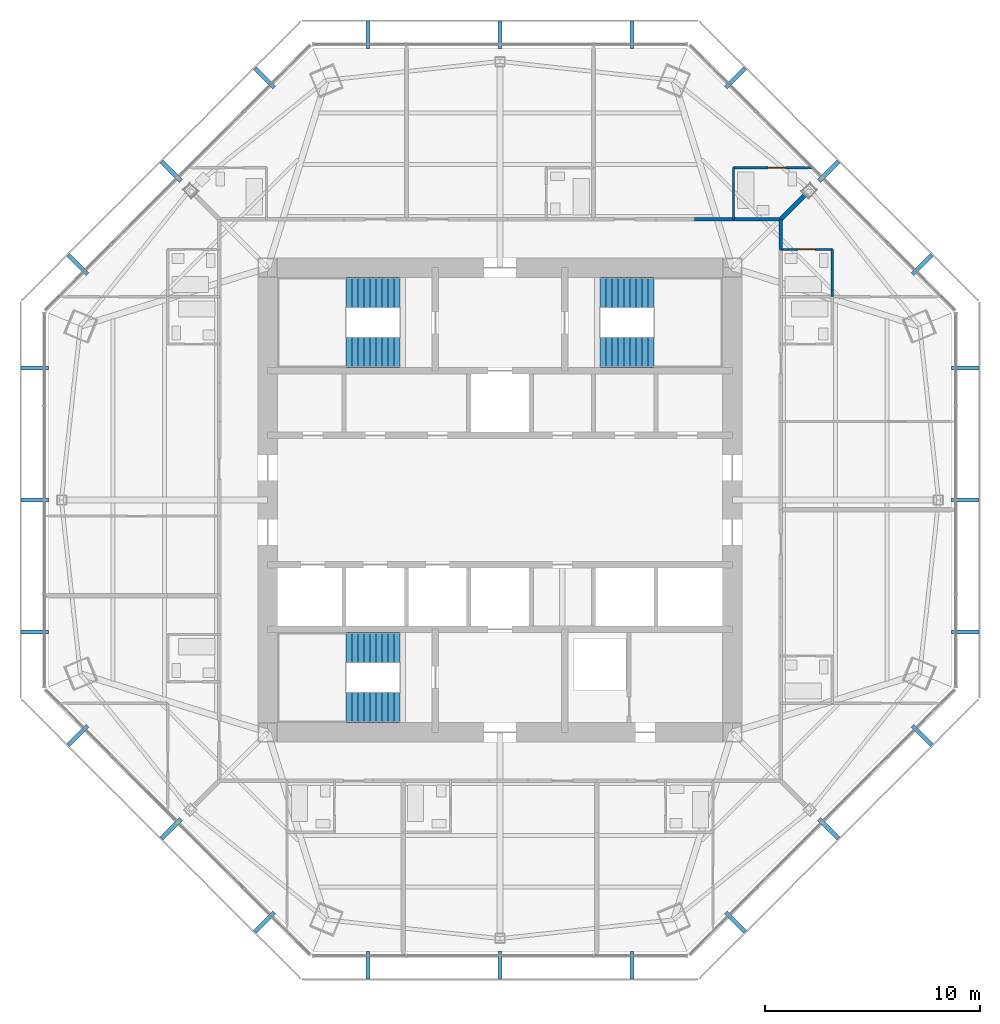
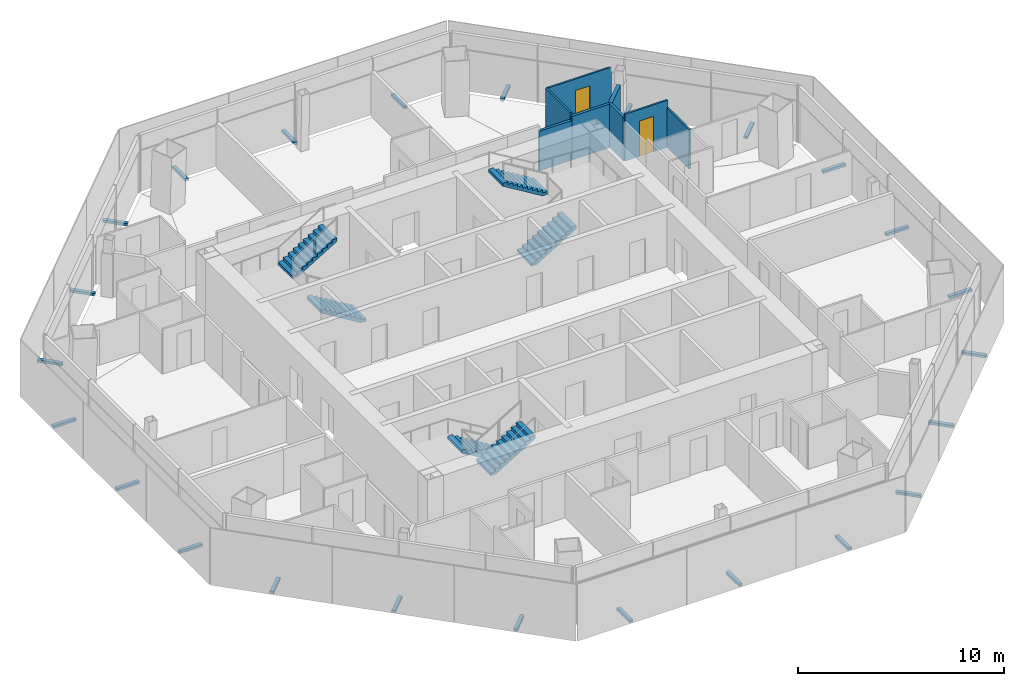
# One storey, part 12 of 14: 24 discrete accessories, 8 walls, 6 stair flights, 2 doors, 2 openings, 3 elements without a shape of their own.
"""IFC4 building model written with IfcOpenShell, lengths in metres."""

import ifcopenshell
import ifcopenshell.guid

model = None  # the IFC model being written
_history = None  # IfcOwnerHistory: only IFC2X3 demands one
_inside = {}  # id of a spatial element -> (the spatial element, [elements in it])
_under = {}  # id of a project, library or spatial element -> (it, [spatial elements below it])
_declared = {}  # id of a project -> (the project, [libraries it declares])
_typed = {}  # id of a type object -> (the type object, [elements of that type])
_made_of = {}  # id of a material, layer set ... -> (it, [elements and type objects made of it])


def new_model(schema):
    """Start an empty IFC model of exactly this schema.

    Asked for "IFC4X3", IfcOpenShell would pick the latest addendum, in which some entities
    have other attributes; the version numbers below select the first issue.
    IFC2X3 requires an IfcOwnerHistory on every rooted entity: one is made here for all.
    """
    global model, _history
    if schema == "IFC4X3":
        model = ifcopenshell.file(schema_version=(4, 3, 0, 0))
    else:
        model = ifcopenshell.file(schema=schema)
    _inside.clear()
    _under.clear()
    _declared.clear()
    _typed.clear()
    _made_of.clear()
    _history = None
    if model.schema == "IFC2X3":
        org = make("IfcOrganization", Name="unknown")
        user = make(
            "IfcPersonAndOrganization",
            ThePerson=make("IfcPerson", FamilyName="unknown"),
            TheOrganization=org,
        )
        app = make(
            "IfcApplication",
            ApplicationDeveloper=org,
            Version="unknown",
            ApplicationFullName="unknown",
            ApplicationIdentifier="unknown",
        )
        _history = make(
            "IfcOwnerHistory",
            OwningUser=user,
            OwningApplication=app,
            ChangeAction="ADDED",
            CreationDate=0,
        )
    return model


def make(cls, **values):
    """One entity of the class cls with the attributes given. An attribute that is None is left unset."""
    return model.create_entity(
        cls, **{name: value for name, value in values.items() if value is not None}
    )


def rooted(cls, **values):
    """An entity with a GlobalId (a new one), such as an element, a storey or a relation."""
    return make(cls, GlobalId=ifcopenshell.guid.new(), OwnerHistory=_history, **values)


def si_unit(unit_type, name, prefix=None):
    """IfcSIUnit, for example si_unit("LENGTHUNIT", "METRE", prefix="MILLI")."""
    return make("IfcSIUnit", UnitType=unit_type, Prefix=prefix, Name=name)


def assignment(units):
    """IfcUnitAssignment: the units of a project."""
    return None if units is None else make("IfcUnitAssignment", Units=units)


def point(xyz):
    """IfcCartesianPoint."""
    return None if xyz is None else make("IfcCartesianPoint", Coordinates=xyz)


def direction(xyz):
    """IfcDirection."""
    return None if xyz is None else make("IfcDirection", DirectionRatios=xyz)


def frame(location, z_axis=None, x_axis=None):
    """IfcAxis2Placement3D, a coordinate frame: its origin and axes. An axis left out is left unset."""
    return make(
        "IfcAxis2Placement3D",
        Location=point(location),
        Axis=direction(z_axis),
        RefDirection=direction(x_axis),
    )


def frame_2d(location, x_axis=None):
    """IfcAxis2Placement2D, a coordinate frame in the plane: its origin and x axis."""
    return make(
        "IfcAxis2Placement2D", Location=point(location), RefDirection=direction(x_axis)
    )


def origin():
    """The frame at (0, 0, 0) with its axes left unset."""
    return frame((0.0, 0.0, 0.0))


def origin_2d():
    """The frame at (0, 0) in the plane with its x axis left unset."""
    return frame_2d((0.0, 0.0))


def place(relative_to, where):
    """IfcLocalPlacement: puts the frame where relative to a parent placement (None: the world)."""
    return make(
        "IfcLocalPlacement", PlacementRelTo=relative_to, RelativePlacement=where
    )


def context(
    kind, dimensions, precision=None, world=None, true_north=None, identifier=None
):
    """IfcGeometricRepresentationContext, for example the 3D "Model" context."""
    return make(
        "IfcGeometricRepresentationContext",
        ContextIdentifier=identifier,
        ContextType=kind,
        CoordinateSpaceDimension=dimensions,
        Precision=precision,
        WorldCoordinateSystem=world,
        TrueNorth=true_north,
    )


def subcontext(parent, identifier, kind, view, scale=None):
    """IfcGeometricRepresentationSubContext, for example "Body" below "Model"."""
    return make(
        "IfcGeometricRepresentationSubContext",
        ContextIdentifier=identifier,
        ContextType=kind,
        ParentContext=parent,
        TargetScale=scale,
        TargetView=view,
    )


def project(units=None, contexts=None):
    """IfcProject with its units and contexts."""
    return rooted(
        "IfcProject",
        Name="project",
        RepresentationContexts=contexts,
        UnitsInContext=assignment(units),
    )


def spatial(cls, under=None, at=None, **own):
    """A site, building, storey or space (cls), placed at a placement, below another one or the project."""
    s = rooted(cls, ObjectPlacement=at, **own)
    if under is not None:
        _under.setdefault(under.id(), (under, []))[1].append(s)
    return s


def polyline(points):
    """IfcPolyline through the points."""
    return make("IfcPolyline", Points=[point(p) for p in points])


def profile(cls, at=None, kind="AREA", **sizes):
    """A parametric profile (cls). Its sizes go by their IFC names, for example OverallWidth=200.0."""
    return make(cls, ProfileType=kind, Position=at, **sizes)


def rectangle(**sizes):
    """IfcRectangleProfileDef."""
    return profile("IfcRectangleProfileDef", **sizes)


def outline(outer, holes=None, kind="AREA"):
    """IfcArbitraryClosedProfileDef: a profile drawn as a closed curve; with holes, ...WithVoids."""
    if holes is None:
        return make("IfcArbitraryClosedProfileDef", ProfileType=kind, OuterCurve=outer)
    return make(
        "IfcArbitraryProfileDefWithVoids",
        ProfileType=kind,
        OuterCurve=outer,
        InnerCurves=holes,
    )


def extrude(swept, where, along, depth):
    """IfcExtrudedAreaSolid: the profile swept, set in the frame where, extruded along a direction by depth."""
    return make(
        "IfcExtrudedAreaSolid",
        SweptArea=swept,
        Position=where,
        ExtrudedDirection=direction(along),
        Depth=depth,
    )


def shape(context_of_items, identifier, shape_type, items):
    """IfcShapeRepresentation: the items that make up one representation, for example the "Body"."""
    return make(
        "IfcShapeRepresentation",
        ContextOfItems=context_of_items,
        RepresentationIdentifier=identifier,
        RepresentationType=shape_type,
        Items=items,
    )


def source(mapping_origin, context_of_items, identifier, shape_type, items):
    """IfcRepresentationMap: a shape defined once, which mapped items show again and again."""
    return make(
        "IfcRepresentationMap",
        MappingOrigin=mapping_origin,
        MappedRepresentation=shape(context_of_items, identifier, shape_type, items),
    )


def transform(
    local_origin,
    x_axis=None,
    y_axis=None,
    z_axis=None,
    scale=None,
    scale2=None,
    scale3=None,
    uniform=True,
):
    """IfcCartesianTransformationOperator3D, or its non-uniform kind. x_axis, y_axis, z_axis: its Axis1, 2, 3."""
    if uniform:
        return make(
            "IfcCartesianTransformationOperator3D",
            Axis1=direction(x_axis),
            Axis2=direction(y_axis),
            LocalOrigin=point(local_origin),
            Scale=scale,
            Axis3=direction(z_axis),
        )
    return make(
        "IfcCartesianTransformationOperator3DnonUniform",
        Axis1=direction(x_axis),
        Axis2=direction(y_axis),
        LocalOrigin=point(local_origin),
        Scale=scale,
        Axis3=direction(z_axis),
        Scale2=scale2,
        Scale3=scale3,
    )


def mapped(mapping_source, mapping_target):
    """IfcMappedItem: shows the shape of a source again, moved by a transform."""
    return make(
        "IfcMappedItem", MappingSource=mapping_source, MappingTarget=mapping_target
    )


def material(Name=None, Category=None):
    """IfcMaterial."""
    return make("IfcMaterial", Name=Name, Category=Category)


def layer(
    of_material, thickness, ventilated=None, Name=None, Category=None, Priority=None
):
    """IfcMaterialLayer: one layer of a wall or slab, of a material (None: an air gap)."""
    return make(
        "IfcMaterialLayer",
        Material=of_material,
        LayerThickness=thickness,
        IsVentilated=ventilated,
        Name=Name,
        Category=Category,
        Priority=Priority,
    )


def layer_set(layers, Name=None):
    """IfcMaterialLayerSet."""
    return make("IfcMaterialLayerSet", MaterialLayers=layers, LayerSetName=Name)


def made_of(thing, what):
    """Note that an element or type object is made of a material, layer set ...; save() writes the relation."""
    if what is not None:
        _made_of.setdefault(what.id(), (what, []))[1].append(thing)
    return thing


def type_object(cls, material=None, **own):
    """A type object (cls), such as IfcWallType, which elements share."""
    return made_of(rooted(cls, **own), material)


def type_shapes(of_type, sources):
    """Give a type object the sources (RepresentationMaps) that its elements show as mapped items."""
    of_type.RepresentationMaps = sources


def element(
    cls,
    number,
    at=None,
    inside=None,
    cuts=None,
    type_object=None,
    material=None,
    context=None,
    identifier="Body",
    shape_type=None,
    held_by="IfcProductDefinitionShape",
    body=None,
    shapes=None,
    **own,
):
    """One element of the class cls, such as IfcWall. Its Tag is "e" and its number.

    at: its placement. inside: the storey or other place that contains it. cuts: it is an
    opening in that element (IfcRelVoidsElement). A single representation is given by context,
    identifier, shape_type and body (its items); several are given by shapes. held_by: the class
    of the entity that holds the representations. save() writes the other relations.
    """
    e = rooted(cls, Tag="e%d" % number, ObjectPlacement=at, **own)
    if body is not None:
        shapes = [shape(context, identifier, shape_type, body)]
    if shapes is not None:
        e.Representation = make(held_by, Representations=shapes)
    if inside is not None:
        _inside.setdefault(inside.id(), (inside, []))[1].append(e)
    if cuts is not None:
        rooted(
            "IfcRelVoidsElement", RelatingBuildingElement=cuts, RelatedOpeningElement=e
        )
    if type_object is not None:
        _typed.setdefault(type_object.id(), (type_object, []))[1].append(e)
    return made_of(e, material)


def fill(opening, filler):
    """IfcRelFillsElement: the door or window that sits in an opening."""
    return rooted(
        "IfcRelFillsElement",
        RelatingOpeningElement=opening,
        RelatedBuildingElement=filler,
    )


def aggregate(whole, parts):
    """IfcRelAggregates: a whole, such as a stair, and the parts it consists of."""
    return rooted("IfcRelAggregates", RelatingObject=whole, RelatedObjects=parts)


def save(model, path):
    """Write the relations noted so far, then the file.

    IfcRelAggregates (storeys below a building ...), IfcRelContainedInSpatialStructure (elements
    in a storey), IfcRelDefinesByType, IfcRelAssociatesMaterial and IfcRelDeclares: one each for
    every whole, place, type object, material and project.
    """
    for whole, parts in _under.values():
        aggregate(whole, parts)
    for where, things in _inside.values():
        rooted(
            "IfcRelContainedInSpatialStructure",
            RelatedElements=things,
            RelatingStructure=where,
        )
    for kind, things in _typed.values():
        rooted("IfcRelDefinesByType", RelatedObjects=things, RelatingType=kind)
    for what, things in _made_of.values():
        rooted("IfcRelAssociatesMaterial", RelatedObjects=things, RelatingMaterial=what)
    for by, libraries in _declared.values():
        rooted("IfcRelDeclares", RelatingContext=by, RelatedDefinitions=libraries)
    model.write(path)


model = new_model("IFC4")

# Units and contexts
model_context = context("Model", 3, precision=1e-05, world=origin(), true_north=direction((0.0, 1.0)))
body_context = subcontext(model_context, "Body", "Model", "MODEL_VIEW")
ifc_project = project(units=[si_unit("LENGTHUNIT", "METRE"), si_unit("AREAUNIT", "SQUARE_METRE"), si_unit("VOLUMEUNIT", "CUBIC_METRE"), si_unit("PLANEANGLEUNIT", "RADIAN"), si_unit("MASSUNIT", "GRAM", prefix="KILO")], contexts=[model_context])

# Site, building, storey
site_placement = place(None, origin())
site = spatial("IfcSite", under=ifc_project, at=site_placement, CompositionType="ELEMENT")
building_placement = place(site_placement, origin())
building = spatial("IfcBuilding", under=site, at=building_placement, Name="Mashrafa Tower", CompositionType="ELEMENT")
storey_placement = place(building_placement, frame((0.0, 0.0, 241.39990234375)))
storey = spatial("IfcBuildingStorey", under=building, at=storey_placement, Name="L57", CompositionType="ELEMENT", Elevation=241.39990234375)

# Walls
ifc_material_1 = material(Name="Gypsum board on steel studs", Category="steel")
ifc_layer_1 = layer(ifc_material_1, 0.199951171875)
ifc_layer_set_1 = layer_set([ifc_layer_1], Name="Acoustic partition 200 1 hr")
wall_type_1 = type_object("IfcWallType", Name="Acoustic partition 200 1 hr", PredefinedType="PARTITIONING", material=ifc_layer_set_1)
wall_1_placement = place(storey_placement, frame((14.17431640625, 14.17431640625, 0.0), z_axis=(0.0, 0.0, 1.0), x_axis=(-0.707106781187, -0.707106781187, 0.0)))
element("IfcWall", 1, at=wall_1_placement, inside=storey, type_object=wall_type_1, Name="Acoustic wall L57-056", PredefinedType="PARTITIONING", context=body_context, shape_type="SweptSolid", body=[
    extrude(rectangle(XDim=1.58984375, YDim=0.199951171875, at=frame_2d((0.794921875, 0.0))), origin(), (0.0, 0.0, 1.0), 2.588134765625),
])
ifc_material_2 = material(Name="Gypsum board on steel studs", Category="steel")
ifc_layer_2 = layer(ifc_material_2, 0.14990234375)
ifc_layer_set_2 = layer_set([ifc_layer_2], Name="Corridor partition 150 1 hr")
wall_type_2 = type_object("IfcWallType", Name="Corridor partition 150 1 hr", PredefinedType="PARTITIONING", material=ifc_layer_set_2)
wall_2_placement = place(storey_placement, frame((13.050048828125, 11.64892578125, 0.0), z_axis=(0.0, 0.0, 1.0), x_axis=(0.0, 1.0, 0.0)))
element("IfcWall", 2, at=wall_2_placement, inside=storey, type_object=wall_type_2, Name="Corridor wall L57-007", PredefinedType="PARTITIONING", context=body_context, shape_type="SweptSolid", body=[
    extrude(rectangle(XDim=1.401123046875, YDim=0.14990234375, at=frame_2d((0.70068359375, 0.0))), origin(), (0.0, 0.0, 1.0), 2.588134765625),
])
wall_3_placement = place(storey_placement, frame((13.050048828125, 13.050048828125, 0.0), z_axis=(0.0, 0.0, 1.0), x_axis=(-1.0, 0.0, 0.0)))
element("IfcWall", 3, at=wall_3_placement, inside=storey, type_object=wall_type_2, Name="Corridor wall L57-012", PredefinedType="PARTITIONING", context=body_context, shape_type="SweptSolid", body=[
    extrude(rectangle(XDim=2.200927734375, YDim=0.14990234375, at=frame_2d((1.1005859375, 0.0))), origin(), (0.0, 0.0, 1.0), 2.588134765625),
])
wall_4_placement = place(storey_placement, frame((10.85107421875, 13.050048828125, 0.0), z_axis=(0.0, 0.0, 1.0), x_axis=(-1.0, 0.0, 0.0)))
element("IfcWall", 4, at=wall_4_placement, inside=storey, type_object=wall_type_2, Name="Corridor wall L57-015", PredefinedType="PARTITIONING", context=body_context, shape_type="SweptSolid", body=[
    extrude(rectangle(XDim=1.802001953125, YDim=0.14990234375, at=frame_2d((0.90087890625, 0.0))), origin(), (0.0, 0.0, 1.0), 2.349365234375),
])
ifc_material_3 = material(Name="Gypsum board on steel studs", Category="steel")
ifc_layer_3 = layer(ifc_material_3, 0.10009765625)
ifc_layer_set_3 = layer_set([ifc_layer_3], Name="Partition 100")
wall_type_3 = type_object("IfcWallType", Name="Partition 100", PredefinedType="PARTITIONING", material=ifc_layer_set_3)
wall_5_placement = place(storey_placement, frame((15.449951171875, 9.449951171875, 0.0), z_axis=(0.0, 0.0, 1.0), x_axis=(0.0, 1.0, 0.0)))
element("IfcWall", 5, at=wall_5_placement, inside=storey, type_object=wall_type_3, Name="Partition wall L57-052", PredefinedType="PARTITIONING", context=body_context, shape_type="SweptSolid", body=[
    extrude(rectangle(XDim=2.199951171875, YDim=0.10009765625, at=frame_2d((1.10009765625, 0.0))), origin(), (0.0, 0.0, 1.0), 2.349365234375),
])

# Wall, opening, door
wall_6_placement = place(storey_placement, frame((15.449951171875, 11.64990234375, 0.0), z_axis=(0.0, 0.0, 1.0), x_axis=(-1.0, 0.0, 0.0)))
wall_6 = element("IfcWall", 6, at=wall_6_placement, inside=storey, type_object=wall_type_3, Name="Partition wall L57-053", PredefinedType="PARTITIONING", context=body_context, shape_type="SweptSolid", body=[
    extrude(rectangle(XDim=2.39990234375, YDim=0.10009765625, at=frame_2d((1.199951171875, 0.0))), origin(), (0.0, 0.0, 1.0), 2.7861328125),
])
opening_1_placement = place(wall_6_placement, frame((0.800048828125, 0.0, 0.0)))
opening_1 = element("IfcOpeningElement", 7, at=opening_1_placement, cuts=wall_6, Name="Opening 57.004", PredefinedType="OPENING", context=body_context, shape_type="SweptSolid", body=[
    extrude(rectangle(XDim=0.800048828125, YDim=2.10009765625, at=frame_2d((0.39990234375, 1.050048828125))), frame((0.0, 0.06005859375, 0.0), z_axis=(0.0, -1.0, 0.0), x_axis=(1.0, 0.0, 0.0)), (0.0, 0.0, 1.0), 0.1201171875),
])
ifc_material_4 = material(Name="Timber door", Category="wood")
door_type = type_object("IfcDoorType", Name="Bathroom door 800 x 2100", OperationType="USERDEFINED", PredefinedType="DOOR", material=ifc_material_4)
door_1_placement = place(opening_1_placement, origin())
door_1 = element("IfcDoor", 8, at=door_1_placement, inside=storey, type_object=door_type, Name="Apartment 5702 En-suite Bathroom door", OperationType="SINGLE_SWING_RIGHT", OverallHeight=2.10009765625, OverallWidth=0.800048828125, PredefinedType="DOOR", context=body_context, shape_type="SweptSolid", body=[
    extrude(rectangle(XDim=0.800048828125, YDim=2.10009765625, at=frame_2d((0.39990234375, 1.050048828125))), frame((0.0, 0.02490234375, 0.0), z_axis=(0.0, -1.0, 0.0), x_axis=(1.0, 0.0, 0.0)), (0.0, 0.0, 1.0), 0.050048828125),
])
fill(opening_1, door_1)

wall_7_placement = place(storey_placement, frame((14.489501953125, 15.449951171875, 0.0), z_axis=(0.0, 0.0, 1.0), x_axis=(-1.0, 0.0, 0.0)))
wall_7 = element("IfcWall", 9, at=wall_7_placement, inside=storey, type_object=wall_type_3, Name="Partition wall L57-061", PredefinedType="PARTITIONING", context=body_context, shape_type="SweptSolid", body=[
    extrude(rectangle(XDim=3.639404296875, YDim=0.10009765625, at=frame_2d((1.81982421875, 0.0))), origin(), (0.0, 0.0, 1.0), 2.78369140625),
])
opening_2_placement = place(wall_7_placement, frame((1.222900390625, 0.0, 0.0)))
opening_2 = element("IfcOpeningElement", 10, at=opening_2_placement, cuts=wall_7, Name="Opening 57.009", PredefinedType="OPENING", context=body_context, shape_type="SweptSolid", body=[
    extrude(rectangle(XDim=0.800048828125, YDim=2.10009765625, at=frame_2d((0.39990234375, 1.050048828125))), frame((0.0, 0.06005859375, 0.0), z_axis=(0.0, -1.0, 0.0), x_axis=(1.0, 0.0, 0.0)), (0.0, 0.0, 1.0), 0.1201171875),
])
door_2_placement = place(opening_2_placement, origin())
door_2 = element("IfcDoor", 11, at=door_2_placement, inside=storey, type_object=door_type, Name="Apartment 5703 Bathroom door", OperationType="SINGLE_SWING_LEFT", OverallHeight=2.10009765625, OverallWidth=0.800048828125, PredefinedType="DOOR", context=body_context, shape_type="SweptSolid", body=[
    extrude(rectangle(XDim=0.800048828125, YDim=2.10009765625, at=frame_2d((0.39990234375, 1.050048828125))), frame((0.0, 0.02490234375, 0.0), z_axis=(0.0, -1.0, 0.0), x_axis=(1.0, 0.0, 0.0)), (0.0, 0.0, 1.0), 0.050048828125),
])
fill(opening_2, door_2)

# Wall
wall_8_placement = place(storey_placement, frame((10.85009765625, 15.449951171875, 0.0), z_axis=(0.0, 0.0, 1.0), x_axis=(0.0, -1.0, 0.0)))
element("IfcWall", 12, at=wall_8_placement, inside=storey, type_object=wall_type_3, Name="Partition wall L57-062", PredefinedType="PARTITIONING", context=body_context, shape_type="SweptSolid", body=[
    extrude(rectangle(XDim=2.39990234375, YDim=0.10009765625, at=frame_2d((1.199951171875, 0.0))), origin(), (0.0, 0.0, 1.0), 2.7861328125),
])

# Stair, stair flights
ifc_material_5 = material(Name="Exit stair 1400")
stair_type = type_object("IfcStairType", Name="Exit stair 1400", PredefinedType="HALF_TURN_STAIR", material=ifc_material_5)
stair_1_placement = place(storey_placement, origin())
stair_1 = element("IfcStair", 13, at=stair_1_placement, inside=storey, type_object=stair_type, Name="Stair S1 L57", PredefinedType="HALF_TURN_STAIR")
ifc_material_6 = material(Name="Concrete C32/40", Category="concrete")
stair_flight_type = type_object("IfcStairFlightType", Name="Stair flight 1400", PredefinedType="STRAIGHT", material=ifc_material_6)
stair_flight_1_placement = place(storey_placement, frame((-4.64990234375, 6.85009765625, 0.0), z_axis=(0.0, 0.0, 1.0), x_axis=(-1.0, 0.0, 0.0)))
stair_flight_1 = element("IfcStairFlight", 14, at=stair_flight_1_placement, type_object=stair_flight_type, Name="S1 flight 1", NumberOfRisers=10, NumberOfTreads=9, PredefinedType="STRAIGHT", RiserHeight=0.17, TreadLength=0.28, context=body_context, shape_type="SweptSolid", body=[
    extrude(outline(polyline([(0.0, 0.0), (0.0, 0.169921875), (0.280029296875, 0.169921875), (0.280029296875, 0.340087890625), (0.56005859375, 0.340087890625), (0.56005859375, 0.510009765625), (0.840087890625, 0.510009765625), (0.840087890625, 0.679931640625), (1.1201171875, 0.679931640625), (1.1201171875, 0.85009765625), (1.39990234375, 0.85009765625), (1.39990234375, 1.02001953125), (1.679931640625, 1.02001953125), (1.679931640625, 1.18994140625), (1.9599609375, 1.18994140625), (1.9599609375, 1.360107421875), (2.239990234375, 1.360107421875), (2.239990234375, 1.530029296875), (2.52001953125, 1.530029296875), (2.52001953125, 1.699951171875), (2.52001953125, 1.354736328125), (0.288818359375, 0.0), (0.0, 0.0)])), frame((0.0, 0.699951171875, 0.0), z_axis=(0.0, -1.0, 0.0), x_axis=(1.0, 0.0, 0.0)), (0.0, 0.0, 1.0), 1.39990234375),
])
stair_flight_2_placement = place(storey_placement, frame((-7.169921875, 9.64990234375, 1.7001953125), z_axis=(0.0, 0.0, 1.0), x_axis=(1.0, 0.0, 0.0)))
stair_flight_2 = element("IfcStairFlight", 15, at=stair_flight_2_placement, type_object=stair_flight_type, Name="S1 flight 2", NumberOfRisers=10, NumberOfTreads=9, PredefinedType="STRAIGHT", RiserHeight=0.17, TreadLength=0.28, context=body_context, shape_type="SweptSolid", body=[
    extrude(outline(polyline([(0.0, 0.0), (0.0, 0.169921875), (0.280029296875, 0.169921875), (0.280029296875, 0.340087890625), (0.56005859375, 0.340087890625), (0.56005859375, 0.510009765625), (0.840087890625, 0.510009765625), (0.840087890625, 0.679931640625), (1.1201171875, 0.679931640625), (1.1201171875, 0.85009765625), (1.39990234375, 0.85009765625), (1.39990234375, 1.02001953125), (1.679931640625, 1.02001953125), (1.679931640625, 1.18994140625), (1.9599609375, 1.18994140625), (1.9599609375, 1.360107421875), (2.239990234375, 1.360107421875), (2.239990234375, 1.530029296875), (2.52001953125, 1.530029296875), (2.52001953125, 1.699951171875), (2.52001953125, 1.354736328125), (0.288818359375, 0.0), (0.0, 0.0)])), frame((0.0, 0.699951171875, 0.0), z_axis=(0.0, -1.0, 0.0), x_axis=(1.0, 0.0, 0.0)), (0.0, 0.0, 1.0), 1.39990234375),
])
aggregate(stair_1, [stair_flight_1, stair_flight_2])

stair_2_placement = place(storey_placement, origin())
stair_2 = element("IfcStair", 16, at=stair_2_placement, inside=storey, type_object=stair_type, Name="Stair S2 L57", PredefinedType="HALF_TURN_STAIR")
stair_flight_3_placement = place(storey_placement, frame((4.64990234375, 6.85009765625, 0.0), z_axis=(0.0, 0.0, 1.0), x_axis=(1.0, 0.0, 0.0)))
stair_flight_3 = element("IfcStairFlight", 17, at=stair_flight_3_placement, type_object=stair_flight_type, Name="S2 flight 1", NumberOfRisers=10, NumberOfTreads=9, PredefinedType="STRAIGHT", RiserHeight=0.17, TreadLength=0.28, context=body_context, shape_type="SweptSolid", body=[
    extrude(outline(polyline([(0.0, 0.0), (0.0, 0.169921875), (0.280029296875, 0.169921875), (0.280029296875, 0.340087890625), (0.56005859375, 0.340087890625), (0.56005859375, 0.510009765625), (0.840087890625, 0.510009765625), (0.840087890625, 0.679931640625), (1.1201171875, 0.679931640625), (1.1201171875, 0.85009765625), (1.39990234375, 0.85009765625), (1.39990234375, 1.02001953125), (1.679931640625, 1.02001953125), (1.679931640625, 1.18994140625), (1.9599609375, 1.18994140625), (1.9599609375, 1.360107421875), (2.239990234375, 1.360107421875), (2.239990234375, 1.530029296875), (2.52001953125, 1.530029296875), (2.52001953125, 1.699951171875), (2.52001953125, 1.354736328125), (0.288818359375, 0.0), (0.0, 0.0)])), frame((0.0, 0.699951171875, 0.0), z_axis=(0.0, -1.0, 0.0), x_axis=(1.0, 0.0, 0.0)), (0.0, 0.0, 1.0), 1.39990234375),
])
stair_flight_4_placement = place(storey_placement, frame((7.169921875, 9.64990234375, 1.7001953125), z_axis=(0.0, 0.0, 1.0), x_axis=(-1.0, 0.0, 0.0)))
stair_flight_4 = element("IfcStairFlight", 18, at=stair_flight_4_placement, type_object=stair_flight_type, Name="S2 flight 2", NumberOfRisers=10, NumberOfTreads=9, PredefinedType="STRAIGHT", RiserHeight=0.17, TreadLength=0.28, context=body_context, shape_type="SweptSolid", body=[
    extrude(outline(polyline([(0.0, 0.0), (0.0, 0.169921875), (0.280029296875, 0.169921875), (0.280029296875, 0.340087890625), (0.56005859375, 0.340087890625), (0.56005859375, 0.510009765625), (0.840087890625, 0.510009765625), (0.840087890625, 0.679931640625), (1.1201171875, 0.679931640625), (1.1201171875, 0.85009765625), (1.39990234375, 0.85009765625), (1.39990234375, 1.02001953125), (1.679931640625, 1.02001953125), (1.679931640625, 1.18994140625), (1.9599609375, 1.18994140625), (1.9599609375, 1.360107421875), (2.239990234375, 1.360107421875), (2.239990234375, 1.530029296875), (2.52001953125, 1.530029296875), (2.52001953125, 1.699951171875), (2.52001953125, 1.354736328125), (0.288818359375, 0.0), (0.0, 0.0)])), frame((0.0, 0.699951171875, 0.0), z_axis=(0.0, -1.0, 0.0), x_axis=(1.0, 0.0, 0.0)), (0.0, 0.0, 1.0), 1.39990234375),
])
aggregate(stair_2, [stair_flight_3, stair_flight_4])

stair_3_placement = place(storey_placement, origin())
stair_3 = element("IfcStair", 19, at=stair_3_placement, inside=storey, type_object=stair_type, Name="Stair S3 L57", PredefinedType="HALF_TURN_STAIR")
stair_flight_5_placement = place(storey_placement, frame((-4.64990234375, -6.85009765625, 0.0), z_axis=(0.0, 0.0, 1.0), x_axis=(-1.0, 0.0, 0.0)))
stair_flight_5 = element("IfcStairFlight", 20, at=stair_flight_5_placement, type_object=stair_flight_type, Name="S3 flight 1", NumberOfRisers=10, NumberOfTreads=9, PredefinedType="STRAIGHT", RiserHeight=0.17, TreadLength=0.28, context=body_context, shape_type="SweptSolid", body=[
    extrude(outline(polyline([(0.0, 0.0), (0.0, 0.169921875), (0.280029296875, 0.169921875), (0.280029296875, 0.340087890625), (0.56005859375, 0.340087890625), (0.56005859375, 0.510009765625), (0.840087890625, 0.510009765625), (0.840087890625, 0.679931640625), (1.1201171875, 0.679931640625), (1.1201171875, 0.85009765625), (1.39990234375, 0.85009765625), (1.39990234375, 1.02001953125), (1.679931640625, 1.02001953125), (1.679931640625, 1.18994140625), (1.9599609375, 1.18994140625), (1.9599609375, 1.360107421875), (2.239990234375, 1.360107421875), (2.239990234375, 1.530029296875), (2.52001953125, 1.530029296875), (2.52001953125, 1.699951171875), (2.52001953125, 1.354736328125), (0.288818359375, 0.0), (0.0, 0.0)])), frame((0.0, 0.699951171875, 0.0), z_axis=(0.0, -1.0, 0.0), x_axis=(1.0, 0.0, 0.0)), (0.0, 0.0, 1.0), 1.39990234375),
])
stair_flight_6_placement = place(storey_placement, frame((-7.169921875, -9.64990234375, 1.7001953125), z_axis=(0.0, 0.0, 1.0), x_axis=(1.0, 0.0, 0.0)))
stair_flight_6 = element("IfcStairFlight", 21, at=stair_flight_6_placement, type_object=stair_flight_type, Name="S3 flight 2", NumberOfRisers=10, NumberOfTreads=9, PredefinedType="STRAIGHT", RiserHeight=0.17, TreadLength=0.28, context=body_context, shape_type="SweptSolid", body=[
    extrude(outline(polyline([(0.0, 0.0), (0.0, 0.169921875), (0.280029296875, 0.169921875), (0.280029296875, 0.340087890625), (0.56005859375, 0.340087890625), (0.56005859375, 0.510009765625), (0.840087890625, 0.510009765625), (0.840087890625, 0.679931640625), (1.1201171875, 0.679931640625), (1.1201171875, 0.85009765625), (1.39990234375, 0.85009765625), (1.39990234375, 1.02001953125), (1.679931640625, 1.02001953125), (1.679931640625, 1.18994140625), (1.9599609375, 1.18994140625), (1.9599609375, 1.360107421875), (2.239990234375, 1.360107421875), (2.239990234375, 1.530029296875), (2.52001953125, 1.530029296875), (2.52001953125, 1.699951171875), (2.52001953125, 1.354736328125), (0.288818359375, 0.0), (0.0, 0.0)])), frame((0.0, 0.699951171875, 0.0), z_axis=(0.0, -1.0, 0.0), x_axis=(1.0, 0.0, 0.0)), (0.0, 0.0, 1.0), 1.39990234375),
])
aggregate(stair_3, [stair_flight_5, stair_flight_6])

# Discrete accessories
ifc_material_7 = material(Name="Stainless steel screen bracket", Category="steel")
discrete_accessory_type = type_object("IfcDiscreteAccessoryType", Name="Screen support bracket 200 x 150", PredefinedType="BRACKET", material=ifc_material_7)
shared_shape = source(origin(), body_context, "Body", "SweptSolid", [
    extrude(rectangle(XDim=0.199951171875, YDim=1.27001953125, at=origin_2d()), origin(), (0.0, 0.0, 1.0), 0.14990234375),
])
type_shapes(discrete_accessory_type, [shared_shape])
for number, where, z_axis, x_axis, name in (
    (22, (21.620849609375, -6.13916015625, -0.14990234375), (0.0, 0.0, 1.0), (0.0, 1.0, 0.0), "Screen support bracket L57 east 1"),
    (23, (21.620849609375, 0.0, -0.14990234375), (0.0, 0.0, 1.0), (0.0, 1.0, 0.0), "Screen support bracket L57 east 2"),
    (24, (21.620849609375, 6.13916015625, -0.14990234375), (0.0, 0.0, 1.0), (0.0, 1.0, 0.0), "Screen support bracket L57 east 3"),
    (25, (19.629150390625, 10.947265625, -0.14990234375), (0.0, 0.0, 1.0), (-0.707106781187, 0.707106781187, 0.0), "Screen support bracket L57 north-east 1"),
    (26, (15.288330078125, 15.288330078125, -0.14990234375), (0.0, 0.0, 1.0), (-0.707106781187, 0.707106781187, 0.0), "Screen support bracket L57 north-east 2"),
    (27, (10.947265625, 19.629150390625, -0.14990234375), (0.0, 0.0, 1.0), (-0.707106781187, 0.707106781187, 0.0), "Screen support bracket L57 north-east 3"),
    (28, (6.13916015625, 21.620849609375, -0.14990234375), (0.0, 0.0, 1.0), (-1.0, 0.0, 0.0), "Screen support bracket L57 north 1"),
    (29, (0.0, 21.620849609375, -0.14990234375), (0.0, 0.0, 1.0), (-1.0, 0.0, 0.0), "Screen support bracket L57 north 2"),
    (30, (-6.13916015625, 21.620849609375, -0.14990234375), (0.0, 0.0, 1.0), (-1.0, 0.0, 0.0), "Screen support bracket L57 north 3"),
    (31, (-10.947265625, 19.629150390625, -0.14990234375), (0.0, 0.0, 1.0), (-0.707106781187, -0.707106781187, 0.0), "Screen support bracket L57 north-west 1"),
    (32, (-15.288330078125, 15.288330078125, -0.14990234375), (0.0, 0.0, 1.0), (-0.707106781187, -0.707106781187, 0.0), "Screen support bracket L57 north-west 2"),
    (33, (-19.629150390625, 10.947265625, -0.14990234375), (0.0, 0.0, 1.0), (-0.707106781187, -0.707106781187, 0.0), "Screen support bracket L57 north-west 3"),
    (34, (-21.620849609375, 6.13916015625, -0.14990234375), (0.0, 0.0, 1.0), (0.0, -1.0, 0.0), "Screen support bracket L57 west 1"),
    (35, (-21.620849609375, 0.0, -0.14990234375), (0.0, 0.0, 1.0), (0.0, -1.0, 0.0), "Screen support bracket L57 west 2"),
    (36, (-21.620849609375, -6.13916015625, -0.14990234375), (0.0, 0.0, 1.0), (0.0, -1.0, 0.0), "Screen support bracket L57 west 3"),
    (37, (-19.629150390625, -10.947265625, -0.14990234375), (0.0, 0.0, 1.0), (0.707106781187, -0.707106781187, 0.0), "Screen support bracket L57 south-west 1"),
    (38, (-15.288330078125, -15.288330078125, -0.14990234375), (0.0, 0.0, 1.0), (0.707106781187, -0.707106781187, 0.0), "Screen support bracket L57 south-west 2"),
    (39, (-10.947265625, -19.629150390625, -0.14990234375), (0.0, 0.0, 1.0), (0.707106781187, -0.707106781187, 0.0), "Screen support bracket L57 south-west 3"),
    (40, (-6.13916015625, -21.620849609375, -0.14990234375), (0.0, 0.0, 1.0), (1.0, 0.0, 0.0), "Screen support bracket L57 south 1"),
    (41, (0.0, -21.620849609375, -0.14990234375), (0.0, 0.0, 1.0), (1.0, 0.0, 0.0), "Screen support bracket L57 south 2"),
    (42, (6.13916015625, -21.620849609375, -0.14990234375), (0.0, 0.0, 1.0), (1.0, 0.0, 0.0), "Screen support bracket L57 south 3"),
    (43, (10.947265625, -19.629150390625, -0.14990234375), (0.0, 0.0, 1.0), (0.707106781187, 0.707106781187, 0.0), "Screen support bracket L57 south-east 1"),
    (44, (15.288330078125, -15.288330078125, -0.14990234375), (0.0, 0.0, 1.0), (0.707106781187, 0.707106781187, 0.0), "Screen support bracket L57 south-east 2"),
    (45, (19.629150390625, -10.947265625, -0.14990234375), (0.0, 0.0, 1.0), (0.707106781187, 0.707106781187, 0.0), "Screen support bracket L57 south-east 3"),
):
    element("IfcDiscreteAccessory", number, at=place(storey_placement, frame(where, z_axis=z_axis, x_axis=x_axis)), inside=storey, type_object=discrete_accessory_type, Name=name, PredefinedType="BRACKET", context=body_context, shape_type="MappedRepresentation", body=[
        mapped(shared_shape, transform((0.0, 0.0, 0.0))),
    ])

save(model, "model.ifc")
